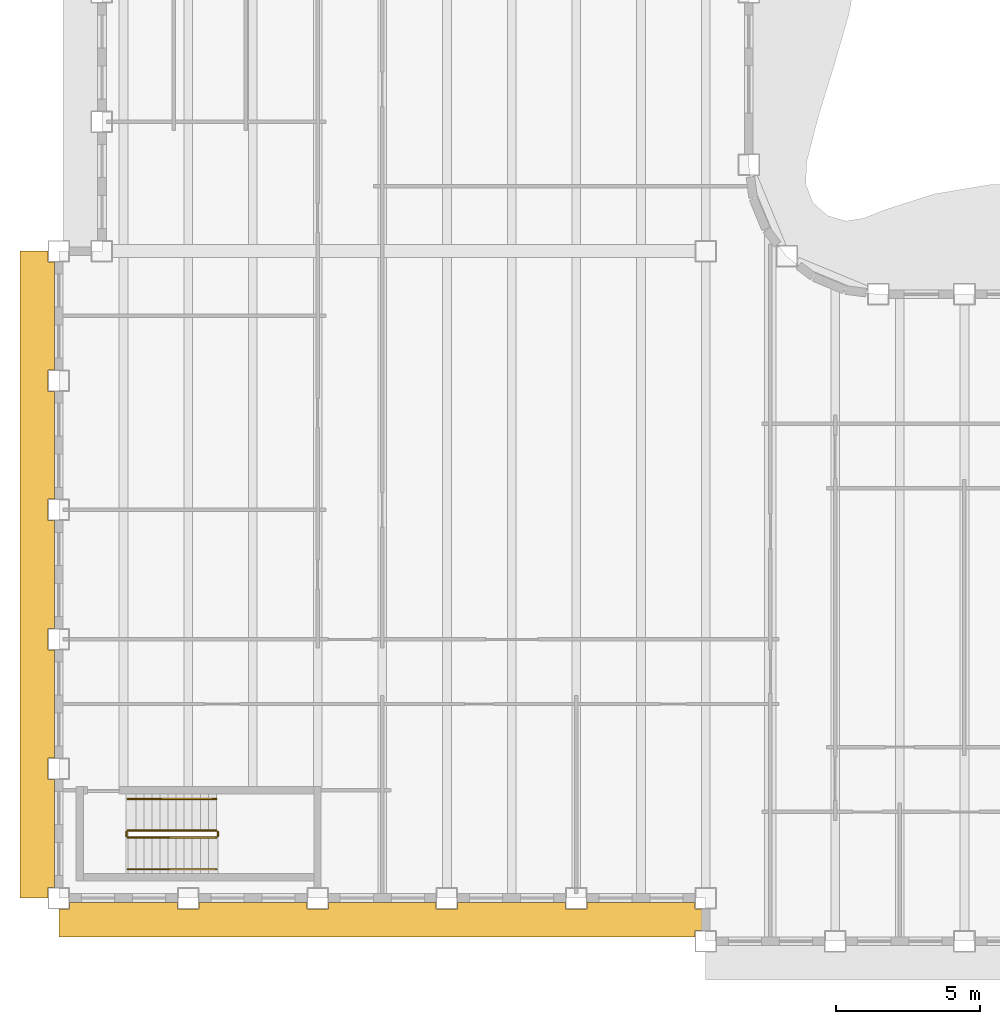
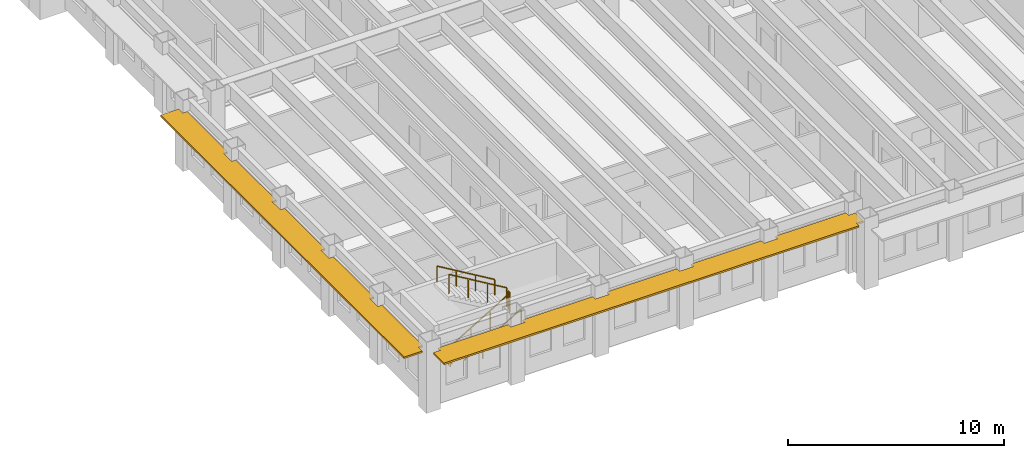
# One storey, part 11 of 16: 6 railings, 2 shading devices.
"""IFC4 building model written with IfcOpenShell, lengths in metres."""

from ifc_helpers import new_model, si_unit, direction, frame, origin, origin_2d, place, context, subcontext, project, spatial, polyline, rectangle, outline, extrude, material, layer, layer_set, type_object, element, save


model = new_model("IFC4")

# Units and contexts
model_context = context("Model", 3, precision=1e-05, world=origin(), true_north=direction((0.0, 1.0)))
body_context = subcontext(model_context, "Body", "Model", "MODEL_VIEW")
ifc_project = project(units=[si_unit("LENGTHUNIT", "METRE"), si_unit("AREAUNIT", "SQUARE_METRE"), si_unit("VOLUMEUNIT", "CUBIC_METRE"), si_unit("PLANEANGLEUNIT", "RADIAN"), si_unit("MASSUNIT", "GRAM", prefix="KILO")], contexts=[model_context])

# Site, building, storey
site_placement = place(None, origin())
site = spatial("IfcSite", under=ifc_project, at=site_placement, CompositionType="ELEMENT")
building_placement = place(site_placement, origin())
building = spatial("IfcBuilding", under=site, at=building_placement, Name="Sennacour Bend Tower", CompositionType="ELEMENT")
storey_placement = place(building_placement, frame((0.0, 0.0, 223.0)))
storey = spatial("IfcBuildingStorey", under=building, at=storey_placement, Name="L51", CompositionType="ELEMENT", Elevation=223.0)

# Railings
ifc_material_1 = material(Name="Stainless steel", Category="steel")
railing_type_1 = type_object("IfcRailingType", Name="RL-GUARD-1100", PredefinedType="GUARDRAIL", material=ifc_material_1)
railing_1_placement = place(storey_placement, frame((2.39990234375, 2.10009765625, 0.166748046875)))
element("IfcRailing", 1, at=railing_1_placement, inside=storey, type_object=railing_type_1, Name="L51 SK1 stair guard 1", PredefinedType="GUARDRAIL", context=body_context, shape_type="SweptSolid", body=[
    extrude(rectangle(XDim=0.048095703125, YDim=0.048095703125, at=origin_2d()), frame((0.0, 0.0, 1.076171875), z_axis=(0.859308565015, 0.0, 0.511457515432), x_axis=(0.0, 1.0, 0.0)), (0.0, 0.0, 1.0), 3.58447265625),
    extrude(rectangle(XDim=0.0419921875, YDim=0.0419921875, at=origin_2d()), origin(), (0.0, 0.0, 1.0), 1.052001953125),
    extrude(rectangle(XDim=0.0419921875, YDim=0.0419921875, at=origin_2d()), frame((1.026611328125, 0.0, 0.611083984375)), (0.0, 0.0, 1.0), 1.052001953125),
    extrude(rectangle(XDim=0.0419921875, YDim=0.0419921875, at=origin_2d()), frame((2.053466796875, 0.0, 1.22216796875)), (0.0, 0.0, 1.0), 1.052001953125),
    extrude(rectangle(XDim=0.0419921875, YDim=0.0419921875, at=origin_2d()), frame((3.080078125, 0.0, 1.833251953125)), (0.0, 0.0, 1.0), 1.052001953125),
])
railing_2_placement = place(storey_placement, frame((5.530029296875, 2.14990234375, 2.0)))
element("IfcRailing", 2, at=railing_2_placement, inside=storey, type_object=railing_type_1, Name="L51 SK1 stair guard 2", PredefinedType="GUARDRAIL", context=body_context, shape_type="SweptSolid", body=[
    extrude(rectangle(XDim=0.048095703125, YDim=0.048095703125, at=origin_2d()), frame((0.0, 0.0, 1.076171875), z_axis=(0.0, 1.0, 0.0), x_axis=(-1.0, 0.0, 0.0)), (0.0, 0.0, 1.0), 0.150146484375),
    extrude(rectangle(XDim=0.0419921875, YDim=0.0419921875, at=origin_2d()), origin(), (0.0, 0.0, 1.0), 1.052001953125),
    extrude(rectangle(XDim=0.0419921875, YDim=0.0419921875, at=origin_2d()), frame((0.0, 0.150146484375, 0.0)), (0.0, 0.0, 1.0), 1.052001953125),
])
railing_3_placement = place(storey_placement, frame((5.47998046875, 2.35009765625, 2.166748046875)))
element("IfcRailing", 3, at=railing_3_placement, inside=storey, type_object=railing_type_1, Name="L51 SK1 stair guard 3", PredefinedType="GUARDRAIL", context=body_context, shape_type="SweptSolid", body=[
    extrude(rectangle(XDim=0.048095703125, YDim=0.048095703125, at=origin_2d()), frame((0.0, 0.0, 1.076171875), z_axis=(-0.859308565015, 0.0, 0.511457515432), x_axis=(0.0, -1.0, 0.0)), (0.0, 0.0, 1.0), 3.58447265625),
    extrude(rectangle(XDim=0.0419921875, YDim=0.0419921875, at=origin_2d()), origin(), (0.0, 0.0, 1.0), 1.052001953125),
    extrude(rectangle(XDim=0.0419921875, YDim=0.0419921875, at=origin_2d()), frame((-1.026611328125, 0.0, 0.611083984375)), (0.0, 0.0, 1.0), 1.052001953125),
    extrude(rectangle(XDim=0.0419921875, YDim=0.0419921875, at=origin_2d()), frame((-2.053466796875, 0.0, 1.22216796875)), (0.0, 0.0, 1.0), 1.052001953125),
    extrude(rectangle(XDim=0.0419921875, YDim=0.0419921875, at=origin_2d()), frame((-3.080078125, 0.0, 1.833251953125)), (0.0, 0.0, 1.0), 1.052001953125),
])
railing_4_placement = place(storey_placement, frame((2.35009765625, 2.14990234375, 0.0)))
element("IfcRailing", 4, at=railing_4_placement, inside=storey, type_object=railing_type_1, Name="L51 SK1 stair guard 4", PredefinedType="GUARDRAIL", context=body_context, shape_type="SweptSolid", body=[
    extrude(rectangle(XDim=0.048095703125, YDim=0.048095703125, at=origin_2d()), frame((0.0, 0.0, 1.076171875), z_axis=(0.0, 1.0, 0.0), x_axis=(-1.0, 0.0, 0.0)), (0.0, 0.0, 1.0), 0.150146484375),
    extrude(rectangle(XDim=0.0419921875, YDim=0.0419921875, at=origin_2d()), origin(), (0.0, 0.0, 1.0), 1.052001953125),
    extrude(rectangle(XDim=0.0419921875, YDim=0.0419921875, at=origin_2d()), frame((0.0, 0.150146484375, 0.0)), (0.0, 0.0, 1.0), 1.052001953125),
])
railing_type_2 = type_object("IfcRailingType", Name="RL-HANDRAIL-900", PredefinedType="HANDRAIL", material=ifc_material_1)
railing_5_placement = place(storey_placement, frame((2.39990234375, 1.0, 0.166748046875)))
element("IfcRailing", 5, at=railing_5_placement, inside=storey, type_object=railing_type_2, Name="L51 SK1 stair handrail 1", PredefinedType="HANDRAIL", context=body_context, shape_type="SweptSolid", body=[
    extrude(rectangle(XDim=0.048095703125, YDim=0.048095703125, at=origin_2d()), frame((0.0, 0.0, 0.8759765625), z_axis=(0.859308565015, 0.0, 0.511457515432), x_axis=(0.0, 1.0, 0.0)), (0.0, 0.0, 1.0), 3.58447265625),
    extrude(rectangle(XDim=0.0419921875, YDim=0.0419921875, at=origin_2d()), origin(), (0.0, 0.0, 1.0), 0.851806640625),
    extrude(rectangle(XDim=0.0419921875, YDim=0.0419921875, at=origin_2d()), frame((1.026611328125, 0.0, 0.611083984375)), (0.0, 0.0, 1.0), 0.851806640625),
    extrude(rectangle(XDim=0.0419921875, YDim=0.0419921875, at=origin_2d()), frame((2.053466796875, 0.0, 1.22216796875)), (0.0, 0.0, 1.0), 0.851806640625),
    extrude(rectangle(XDim=0.0419921875, YDim=0.0419921875, at=origin_2d()), frame((3.080078125, 0.0, 1.833251953125)), (0.0, 0.0, 1.0), 0.851806640625),
])
railing_6_placement = place(storey_placement, frame((5.47998046875, 3.449951171875, 2.166748046875)))
element("IfcRailing", 6, at=railing_6_placement, inside=storey, type_object=railing_type_2, Name="L51 SK1 stair handrail 2", PredefinedType="HANDRAIL", context=body_context, shape_type="SweptSolid", body=[
    extrude(rectangle(XDim=0.048095703125, YDim=0.048095703125, at=origin_2d()), frame((0.0, 0.0, 0.8759765625), z_axis=(-0.859308565015, 0.0, 0.511457515432), x_axis=(0.0, -1.0, 0.0)), (0.0, 0.0, 1.0), 3.58447265625),
    extrude(rectangle(XDim=0.0419921875, YDim=0.0419921875, at=origin_2d()), origin(), (0.0, 0.0, 1.0), 0.851806640625),
    extrude(rectangle(XDim=0.0419921875, YDim=0.0419921875, at=origin_2d()), frame((-1.026611328125, 0.0, 0.611083984375)), (0.0, 0.0, 1.0), 0.851806640625),
    extrude(rectangle(XDim=0.0419921875, YDim=0.0419921875, at=origin_2d()), frame((-2.053466796875, 0.0, 1.22216796875)), (0.0, 0.0, 1.0), 0.851806640625),
    extrude(rectangle(XDim=0.0419921875, YDim=0.0419921875, at=origin_2d()), frame((-3.080078125, 0.0, 1.833251953125)), (0.0, 0.0, 1.0), 0.851806640625),
])

# Shading devices
ifc_material_2 = material(Name="Bronze anodised aluminium", Category="aluminium")
ifc_layer = layer(ifc_material_2, 0.10009765625, Name="Bronze anodised aluminium", Category="aluminium")
ifc_layer_set = layer_set([ifc_layer], Name="Bronze anodised aluminium")
shading_device_type = type_object("IfcShadingDeviceType", Name="SUNSHADE BAND STRAIGHT", PredefinedType="USERDEFINED", material=ifc_layer_set)
shading_device_1_placement = place(storey_placement, frame((0.0, 0.0, 3.056884765625)))
element("IfcShadingDevice", 7, at=shading_device_1_placement, inside=storey, type_object=shading_device_type, Name="Sunshade band L51 K outer face", ObjectType="SUNSHADE", PredefinedType="USERDEFINED", context=body_context, shape_type="SweptSolid", body=[
    extrude(outline(polyline([(-0.14990234375, 18.375), (-0.375, 18.375), (-0.375, 17.625), (-0.14990234375, 17.625), (-0.14990234375, 13.875), (-0.375, 13.875), (-0.375, 13.125), (-0.14990234375, 13.125), (-0.14990234375, 9.375), (-0.375, 9.375), (-0.375, 8.625), (-0.14990234375, 8.625), (-0.14990234375, 4.875), (-0.375, 4.875), (-0.375, 4.125), (-0.14990234375, 4.125), (-0.14990234375, 0.375), (-0.375, 0.375), (-0.375, 0.0), (-1.35009765625, 0.0), (-1.35009765625, 22.5), (-0.375, 22.5), (-0.375, 22.125), (-0.14990234375, 22.125), (-0.14990234375, 18.375)])), origin(), (0.0, 0.0, 1.0), 0.10009765625),
])
shading_device_2_placement = place(storey_placement, frame((0.0, 0.0, 3.056884765625)))
element("IfcShadingDevice", 8, at=shading_device_2_placement, inside=storey, type_object=shading_device_type, Name="Sunshade band L51 K outer face", ObjectType="SUNSHADE", PredefinedType="USERDEFINED", context=body_context, shape_type="SweptSolid", body=[
    extrude(outline(polyline([(4.125, -0.14990234375), (4.125, -0.375), (4.875, -0.375), (4.875, -0.14990234375), (8.625, -0.14990234375), (8.625, -0.375), (9.375, -0.375), (9.375, -0.14990234375), (13.125, -0.14990234375), (13.125, -0.375), (13.875, -0.375), (13.875, -0.14990234375), (17.625, -0.14990234375), (17.625, -0.375), (18.375, -0.375), (18.375, -0.14990234375), (22.125, -0.14990234375), (22.125, -0.375), (22.5, -0.375), (22.5, -1.125), (22.125, -1.125), (22.125, -1.35009765625), (0.0, -1.35009765625), (0.0, -0.375), (0.375, -0.375), (0.375, -0.14990234375), (4.125, -0.14990234375)])), origin(), (0.0, 0.0, 1.0), 0.10009765625),
])

save(model, "model.ifc")
